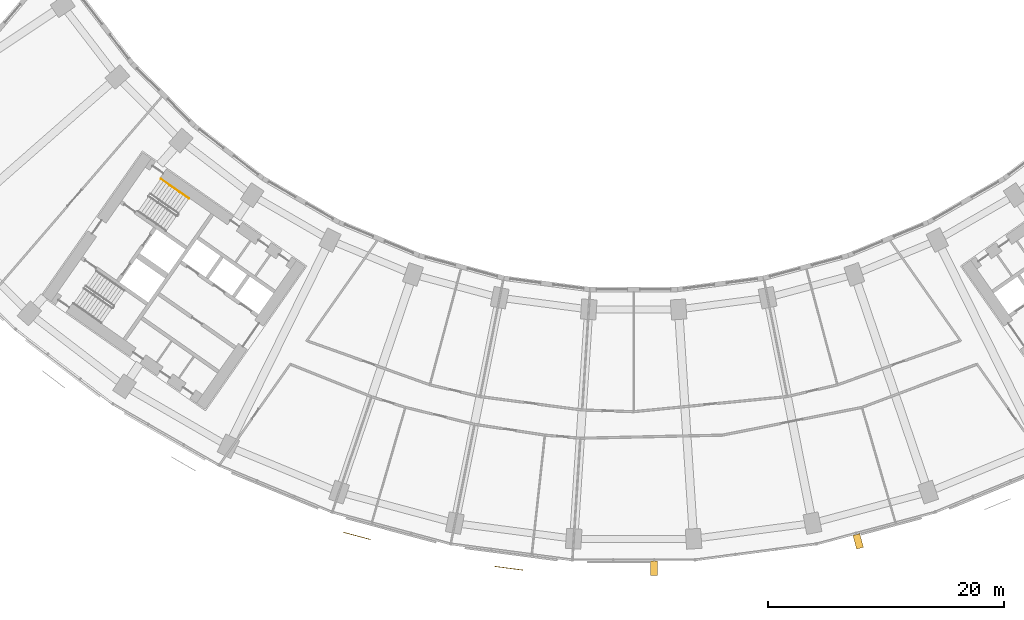
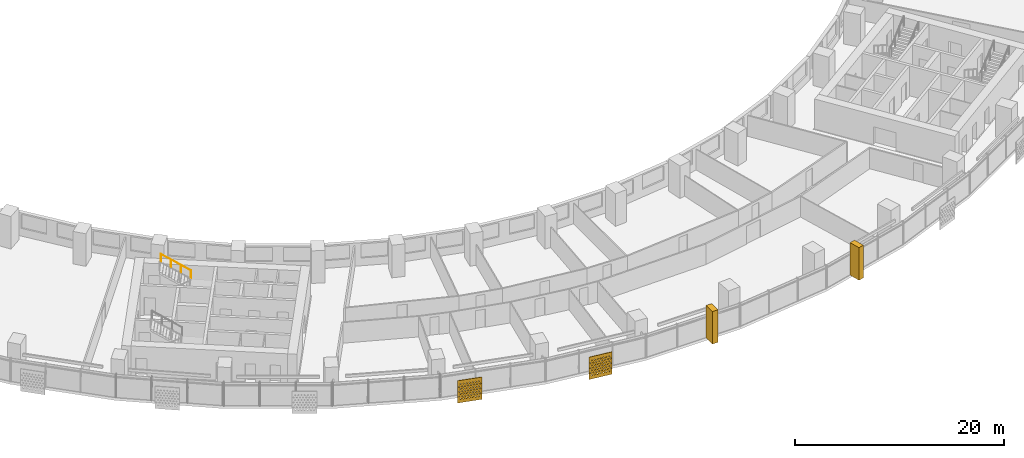
# One storey, part 26 of 29: 4 shading devices, 1 railing.
"""IFC4 building model written with IfcOpenShell, lengths in metres."""

from ifc_helpers import new_model, si_unit, direction, frame, origin, origin_2d, place, context, subcontext, project, spatial, polyline, circle, outline, extrude, material, material_profile, profile_set, type_object, element, save


model = new_model("IFC4")

# Units and contexts
model_context = context("Model", 3, precision=1e-05, world=origin(), true_north=direction((0.0, 1.0)))
body_context = subcontext(model_context, "Body", "Model", "MODEL_VIEW")
ifc_project = project(units=[si_unit("LENGTHUNIT", "METRE"), si_unit("AREAUNIT", "SQUARE_METRE"), si_unit("VOLUMEUNIT", "CUBIC_METRE"), si_unit("PLANEANGLEUNIT", "RADIAN"), si_unit("MASSUNIT", "GRAM", prefix="KILO")], contexts=[model_context])

# Site, building, storey
site_placement = place(None, origin())
site = spatial("IfcSite", under=ifc_project, at=site_placement, CompositionType="ELEMENT")
building_placement = place(site_placement, origin())
building = spatial("IfcBuilding", under=site, at=building_placement, Name="Qamariyya Broadcast Tower", CompositionType="ELEMENT")
storey_placement = place(building_placement, frame((0.0, 0.0, 44.300048828125)))
storey = spatial("IfcBuildingStorey", under=building, at=storey_placement, Name="L07", CompositionType="ELEMENT", Elevation=44.300048828125)

# Shading devices
ifc_material_1 = material(Name="Steel S355 powder coated deep red", Category="steel")
shading_device_type_1 = type_object("IfcShadingDeviceType", Name="Deep red frame, powder coated steel box section", PredefinedType="USERDEFINED", material=ifc_material_1)
shading_device_1_placement = place(storey_placement, origin())
element("IfcShadingDevice", 1, at=shading_device_1_placement, inside=storey, type_object=shading_device_type_1, Name="e-frm-B1-F4-posta-L07", ObjectType="FRAME", PredefinedType="USERDEFINED", context=body_context, shape_type="SweptSolid", body=[
    extrude(outline(polyline([(1.4365234375, -79.4794921875), (1.4365234375, -80.679443359375), (2.036376953125, -80.679443359375), (2.036376953125, -79.4794921875), (1.4365234375, -79.4794921875)])), origin(), (0.0, 0.0, 1.0), 3.800048828125),
])
shading_device_2_placement = place(storey_placement, origin())
element("IfcShadingDevice", 2, at=shading_device_2_placement, inside=storey, type_object=shading_device_type_1, Name="e-frm-B1-F4-postb-L07", ObjectType="FRAME", PredefinedType="USERDEFINED", context=body_context, shape_type="SweptSolid", body=[
    extrude(outline(polyline([(18.603759765625, -77.29833984375), (18.914306640625, -78.45751953125), (19.493896484375, -78.30224609375), (19.183349609375, -77.14306640625), (18.603759765625, -77.29833984375)])), origin(), (0.0, 0.0, 1.0), 3.800048828125),
])
ifc_material_2 = material(Name="Perforated glazed terracotta", Category="masonry")
ifc_material_profile = material_profile(ifc_material_2, outline(polyline([(-1.199951171875, -1.300048828125), (1.199951171875, -1.300048828125), (1.199951171875, 1.300048828125), (-1.199951171875, 1.300048828125), (-1.199951171875, -1.300048828125)]), holes=[polyline([(-0.81494140625, -0.86669921875), (-0.89990234375, -0.78173828125), (-0.985107421875, -0.86669921875), (-0.89990234375, -0.95166015625), (-0.81494140625, -0.86669921875)]), polyline([(-0.514892578125, -0.86669921875), (-0.60009765625, -0.78173828125), (-0.68505859375, -0.86669921875), (-0.60009765625, -0.95166015625), (-0.514892578125, -0.86669921875)]), polyline([(-0.215087890625, -0.86669921875), (-0.300048828125, -0.78173828125), (-0.385009765625, -0.86669921875), (-0.300048828125, -0.95166015625), (-0.215087890625, -0.86669921875)]), polyline([(0.0849609375, -0.86669921875), (0.0, -0.78173828125), (-0.0849609375, -0.86669921875), (0.0, -0.95166015625), (0.0849609375, -0.86669921875)]), polyline([(0.385009765625, -0.86669921875), (0.300048828125, -0.78173828125), (0.215087890625, -0.86669921875), (0.300048828125, -0.95166015625), (0.385009765625, -0.86669921875)]), polyline([(0.68505859375, -0.86669921875), (0.60009765625, -0.78173828125), (0.514892578125, -0.86669921875), (0.60009765625, -0.95166015625), (0.68505859375, -0.86669921875)]), polyline([(0.985107421875, -0.86669921875), (0.89990234375, -0.78173828125), (0.81494140625, -0.86669921875), (0.89990234375, -0.95166015625), (0.985107421875, -0.86669921875)]), polyline([(-0.965087890625, -0.577880859375), (-1.050048828125, -0.49267578125), (-1.135009765625, -0.577880859375), (-1.050048828125, -0.662841796875), (-0.965087890625, -0.577880859375)]), polyline([(-0.6650390625, -0.577880859375), (-0.75, -0.49267578125), (-0.8349609375, -0.577880859375), (-0.75, -0.662841796875), (-0.6650390625, -0.577880859375)]), polyline([(-0.364990234375, -0.577880859375), (-0.449951171875, -0.49267578125), (-0.534912109375, -0.577880859375), (-0.449951171875, -0.662841796875), (-0.364990234375, -0.577880859375)]), polyline([(-0.06494140625, -0.577880859375), (-0.14990234375, -0.49267578125), (-0.235107421875, -0.577880859375), (-0.14990234375, -0.662841796875), (-0.06494140625, -0.577880859375)]), polyline([(0.235107421875, -0.577880859375), (0.14990234375, -0.49267578125), (0.06494140625, -0.577880859375), (0.14990234375, -0.662841796875), (0.235107421875, -0.577880859375)]), polyline([(0.534912109375, -0.577880859375), (0.449951171875, -0.49267578125), (0.364990234375, -0.577880859375), (0.449951171875, -0.662841796875), (0.534912109375, -0.577880859375)]), polyline([(0.8349609375, -0.577880859375), (0.75, -0.49267578125), (0.6650390625, -0.577880859375), (0.75, -0.662841796875), (0.8349609375, -0.577880859375)]), polyline([(1.135009765625, -0.577880859375), (1.050048828125, -0.49267578125), (0.965087890625, -0.577880859375), (1.050048828125, -0.662841796875), (1.135009765625, -0.577880859375)]), polyline([(-0.81494140625, -0.288818359375), (-0.89990234375, -0.203857421875), (-0.985107421875, -0.288818359375), (-0.89990234375, -0.373779296875), (-0.81494140625, -0.288818359375)]), polyline([(-0.514892578125, -0.288818359375), (-0.60009765625, -0.203857421875), (-0.68505859375, -0.288818359375), (-0.60009765625, -0.373779296875), (-0.514892578125, -0.288818359375)]), polyline([(-0.215087890625, -0.288818359375), (-0.300048828125, -0.203857421875), (-0.385009765625, -0.288818359375), (-0.300048828125, -0.373779296875), (-0.215087890625, -0.288818359375)]), polyline([(0.0849609375, -0.288818359375), (0.0, -0.203857421875), (-0.0849609375, -0.288818359375), (0.0, -0.373779296875), (0.0849609375, -0.288818359375)]), polyline([(0.385009765625, -0.288818359375), (0.300048828125, -0.203857421875), (0.215087890625, -0.288818359375), (0.300048828125, -0.373779296875), (0.385009765625, -0.288818359375)]), polyline([(0.68505859375, -0.288818359375), (0.60009765625, -0.203857421875), (0.514892578125, -0.288818359375), (0.60009765625, -0.373779296875), (0.68505859375, -0.288818359375)]), polyline([(0.985107421875, -0.288818359375), (0.89990234375, -0.203857421875), (0.81494140625, -0.288818359375), (0.89990234375, -0.373779296875), (0.985107421875, -0.288818359375)]), polyline([(-0.965087890625, 0.0), (-1.050048828125, 0.0849609375), (-1.135009765625, 0.0), (-1.050048828125, -0.0849609375), (-0.965087890625, 0.0)]), polyline([(-0.6650390625, 0.0), (-0.75, 0.0849609375), (-0.8349609375, 0.0), (-0.75, -0.0849609375), (-0.6650390625, 0.0)]), polyline([(-0.364990234375, 0.0), (-0.449951171875, 0.0849609375), (-0.534912109375, 0.0), (-0.449951171875, -0.0849609375), (-0.364990234375, 0.0)]), polyline([(-0.06494140625, 0.0), (-0.14990234375, 0.0849609375), (-0.235107421875, 0.0), (-0.14990234375, -0.0849609375), (-0.06494140625, 0.0)]), polyline([(0.235107421875, 0.0), (0.14990234375, 0.0849609375), (0.06494140625, 0.0), (0.14990234375, -0.0849609375), (0.235107421875, 0.0)]), polyline([(0.534912109375, 0.0), (0.449951171875, 0.0849609375), (0.364990234375, 0.0), (0.449951171875, -0.0849609375), (0.534912109375, 0.0)]), polyline([(0.8349609375, 0.0), (0.75, 0.0849609375), (0.6650390625, 0.0), (0.75, -0.0849609375), (0.8349609375, 0.0)]), polyline([(1.135009765625, 0.0), (1.050048828125, 0.0849609375), (0.965087890625, 0.0), (1.050048828125, -0.0849609375), (1.135009765625, 0.0)]), polyline([(-0.81494140625, 0.288818359375), (-0.89990234375, 0.373779296875), (-0.985107421875, 0.288818359375), (-0.89990234375, 0.203857421875), (-0.81494140625, 0.288818359375)]), polyline([(-0.514892578125, 0.288818359375), (-0.60009765625, 0.373779296875), (-0.68505859375, 0.288818359375), (-0.60009765625, 0.203857421875), (-0.514892578125, 0.288818359375)]), polyline([(-0.215087890625, 0.288818359375), (-0.300048828125, 0.373779296875), (-0.385009765625, 0.288818359375), (-0.300048828125, 0.203857421875), (-0.215087890625, 0.288818359375)]), polyline([(0.0849609375, 0.288818359375), (0.0, 0.373779296875), (-0.0849609375, 0.288818359375), (0.0, 0.203857421875), (0.0849609375, 0.288818359375)]), polyline([(0.385009765625, 0.288818359375), (0.300048828125, 0.373779296875), (0.215087890625, 0.288818359375), (0.300048828125, 0.203857421875), (0.385009765625, 0.288818359375)]), polyline([(0.68505859375, 0.288818359375), (0.60009765625, 0.373779296875), (0.514892578125, 0.288818359375), (0.60009765625, 0.203857421875), (0.68505859375, 0.288818359375)]), polyline([(0.985107421875, 0.288818359375), (0.89990234375, 0.373779296875), (0.81494140625, 0.288818359375), (0.89990234375, 0.203857421875), (0.985107421875, 0.288818359375)]), polyline([(-0.965087890625, 0.577880859375), (-1.050048828125, 0.662841796875), (-1.135009765625, 0.577880859375), (-1.050048828125, 0.49267578125), (-0.965087890625, 0.577880859375)]), polyline([(-0.6650390625, 0.577880859375), (-0.75, 0.662841796875), (-0.8349609375, 0.577880859375), (-0.75, 0.49267578125), (-0.6650390625, 0.577880859375)]), polyline([(-0.364990234375, 0.577880859375), (-0.449951171875, 0.662841796875), (-0.534912109375, 0.577880859375), (-0.449951171875, 0.49267578125), (-0.364990234375, 0.577880859375)]), polyline([(-0.06494140625, 0.577880859375), (-0.14990234375, 0.662841796875), (-0.235107421875, 0.577880859375), (-0.14990234375, 0.49267578125), (-0.06494140625, 0.577880859375)]), polyline([(0.235107421875, 0.577880859375), (0.14990234375, 0.662841796875), (0.06494140625, 0.577880859375), (0.14990234375, 0.49267578125), (0.235107421875, 0.577880859375)]), polyline([(0.534912109375, 0.577880859375), (0.449951171875, 0.662841796875), (0.364990234375, 0.577880859375), (0.449951171875, 0.49267578125), (0.534912109375, 0.577880859375)]), polyline([(0.8349609375, 0.577880859375), (0.75, 0.662841796875), (0.6650390625, 0.577880859375), (0.75, 0.49267578125), (0.8349609375, 0.577880859375)]), polyline([(1.135009765625, 0.577880859375), (1.050048828125, 0.662841796875), (0.965087890625, 0.577880859375), (1.050048828125, 0.49267578125), (1.135009765625, 0.577880859375)]), polyline([(-0.81494140625, 0.86669921875), (-0.89990234375, 0.95166015625), (-0.985107421875, 0.86669921875), (-0.89990234375, 0.78173828125), (-0.81494140625, 0.86669921875)]), polyline([(-0.514892578125, 0.86669921875), (-0.60009765625, 0.95166015625), (-0.68505859375, 0.86669921875), (-0.60009765625, 0.78173828125), (-0.514892578125, 0.86669921875)]), polyline([(-0.215087890625, 0.86669921875), (-0.300048828125, 0.95166015625), (-0.385009765625, 0.86669921875), (-0.300048828125, 0.78173828125), (-0.215087890625, 0.86669921875)]), polyline([(0.0849609375, 0.86669921875), (0.0, 0.95166015625), (-0.0849609375, 0.86669921875), (0.0, 0.78173828125), (0.0849609375, 0.86669921875)]), polyline([(0.385009765625, 0.86669921875), (0.300048828125, 0.95166015625), (0.215087890625, 0.86669921875), (0.300048828125, 0.78173828125), (0.385009765625, 0.86669921875)]), polyline([(0.68505859375, 0.86669921875), (0.60009765625, 0.95166015625), (0.514892578125, 0.86669921875), (0.60009765625, 0.78173828125), (0.68505859375, 0.86669921875)]), polyline([(0.985107421875, 0.86669921875), (0.89990234375, 0.95166015625), (0.81494140625, 0.86669921875), (0.89990234375, 0.78173828125), (0.985107421875, 0.86669921875)])]))
ifc_profile_set = profile_set([ifc_material_profile], Name="Perforated glazed terracotta")
shading_device_type_2 = type_object("IfcShadingDeviceType", Name="Perforated terracotta screen 2400 x 2600", PredefinedType="USERDEFINED", material=ifc_profile_set)
shading_device_3_placement = place(storey_placement, frame((-23.466064453125, -77.310302734375, 1.349853515625), z_axis=(-0.256901156343, -0.966437683387, 0.0), x_axis=(0.966437683387, -0.256901156343, 0.0)))
element("IfcShadingDevice", 3, at=shading_device_3_placement, inside=storey, type_object=shading_device_type_2, Name="e-scr-L07-06-0", ObjectType="SCREEN", PredefinedType="USERDEFINED", context=body_context, shape_type="SweptSolid", body=[
    extrude(outline(polyline([(-1.199951171875, -1.300048828125), (1.199951171875, -1.300048828125), (1.199951171875, 1.300048828125), (-1.199951171875, 1.300048828125), (-1.199951171875, -1.300048828125)]), holes=[polyline([(-0.81494140625, -0.86669921875), (-0.89990234375, -0.78173828125), (-0.985107421875, -0.86669921875), (-0.89990234375, -0.95166015625), (-0.81494140625, -0.86669921875)]), polyline([(-0.514892578125, -0.86669921875), (-0.60009765625, -0.78173828125), (-0.68505859375, -0.86669921875), (-0.60009765625, -0.95166015625), (-0.514892578125, -0.86669921875)]), polyline([(-0.215087890625, -0.86669921875), (-0.300048828125, -0.78173828125), (-0.385009765625, -0.86669921875), (-0.300048828125, -0.95166015625), (-0.215087890625, -0.86669921875)]), polyline([(0.0849609375, -0.86669921875), (0.0, -0.78173828125), (-0.0849609375, -0.86669921875), (0.0, -0.95166015625), (0.0849609375, -0.86669921875)]), polyline([(0.385009765625, -0.86669921875), (0.300048828125, -0.78173828125), (0.215087890625, -0.86669921875), (0.300048828125, -0.95166015625), (0.385009765625, -0.86669921875)]), polyline([(0.68505859375, -0.86669921875), (0.60009765625, -0.78173828125), (0.514892578125, -0.86669921875), (0.60009765625, -0.95166015625), (0.68505859375, -0.86669921875)]), polyline([(0.985107421875, -0.86669921875), (0.89990234375, -0.78173828125), (0.81494140625, -0.86669921875), (0.89990234375, -0.95166015625), (0.985107421875, -0.86669921875)]), polyline([(-0.965087890625, -0.577880859375), (-1.050048828125, -0.49267578125), (-1.135009765625, -0.577880859375), (-1.050048828125, -0.662841796875), (-0.965087890625, -0.577880859375)]), polyline([(-0.6650390625, -0.577880859375), (-0.75, -0.49267578125), (-0.8349609375, -0.577880859375), (-0.75, -0.662841796875), (-0.6650390625, -0.577880859375)]), polyline([(-0.364990234375, -0.577880859375), (-0.449951171875, -0.49267578125), (-0.534912109375, -0.577880859375), (-0.449951171875, -0.662841796875), (-0.364990234375, -0.577880859375)]), polyline([(-0.06494140625, -0.577880859375), (-0.14990234375, -0.49267578125), (-0.235107421875, -0.577880859375), (-0.14990234375, -0.662841796875), (-0.06494140625, -0.577880859375)]), polyline([(0.235107421875, -0.577880859375), (0.14990234375, -0.49267578125), (0.06494140625, -0.577880859375), (0.14990234375, -0.662841796875), (0.235107421875, -0.577880859375)]), polyline([(0.534912109375, -0.577880859375), (0.449951171875, -0.49267578125), (0.364990234375, -0.577880859375), (0.449951171875, -0.662841796875), (0.534912109375, -0.577880859375)]), polyline([(0.8349609375, -0.577880859375), (0.75, -0.49267578125), (0.6650390625, -0.577880859375), (0.75, -0.662841796875), (0.8349609375, -0.577880859375)]), polyline([(1.135009765625, -0.577880859375), (1.050048828125, -0.49267578125), (0.965087890625, -0.577880859375), (1.050048828125, -0.662841796875), (1.135009765625, -0.577880859375)]), polyline([(-0.81494140625, -0.288818359375), (-0.89990234375, -0.203857421875), (-0.985107421875, -0.288818359375), (-0.89990234375, -0.373779296875), (-0.81494140625, -0.288818359375)]), polyline([(-0.514892578125, -0.288818359375), (-0.60009765625, -0.203857421875), (-0.68505859375, -0.288818359375), (-0.60009765625, -0.373779296875), (-0.514892578125, -0.288818359375)]), polyline([(-0.215087890625, -0.288818359375), (-0.300048828125, -0.203857421875), (-0.385009765625, -0.288818359375), (-0.300048828125, -0.373779296875), (-0.215087890625, -0.288818359375)]), polyline([(0.0849609375, -0.288818359375), (0.0, -0.203857421875), (-0.0849609375, -0.288818359375), (0.0, -0.373779296875), (0.0849609375, -0.288818359375)]), polyline([(0.385009765625, -0.288818359375), (0.300048828125, -0.203857421875), (0.215087890625, -0.288818359375), (0.300048828125, -0.373779296875), (0.385009765625, -0.288818359375)]), polyline([(0.68505859375, -0.288818359375), (0.60009765625, -0.203857421875), (0.514892578125, -0.288818359375), (0.60009765625, -0.373779296875), (0.68505859375, -0.288818359375)]), polyline([(0.985107421875, -0.288818359375), (0.89990234375, -0.203857421875), (0.81494140625, -0.288818359375), (0.89990234375, -0.373779296875), (0.985107421875, -0.288818359375)]), polyline([(-0.965087890625, 0.0), (-1.050048828125, 0.0849609375), (-1.135009765625, 0.0), (-1.050048828125, -0.0849609375), (-0.965087890625, 0.0)]), polyline([(-0.6650390625, 0.0), (-0.75, 0.0849609375), (-0.8349609375, 0.0), (-0.75, -0.0849609375), (-0.6650390625, 0.0)]), polyline([(-0.364990234375, 0.0), (-0.449951171875, 0.0849609375), (-0.534912109375, 0.0), (-0.449951171875, -0.0849609375), (-0.364990234375, 0.0)]), polyline([(-0.06494140625, 0.0), (-0.14990234375, 0.0849609375), (-0.235107421875, 0.0), (-0.14990234375, -0.0849609375), (-0.06494140625, 0.0)]), polyline([(0.235107421875, 0.0), (0.14990234375, 0.0849609375), (0.06494140625, 0.0), (0.14990234375, -0.0849609375), (0.235107421875, 0.0)]), polyline([(0.534912109375, 0.0), (0.449951171875, 0.0849609375), (0.364990234375, 0.0), (0.449951171875, -0.0849609375), (0.534912109375, 0.0)]), polyline([(0.8349609375, 0.0), (0.75, 0.0849609375), (0.6650390625, 0.0), (0.75, -0.0849609375), (0.8349609375, 0.0)]), polyline([(1.135009765625, 0.0), (1.050048828125, 0.0849609375), (0.965087890625, 0.0), (1.050048828125, -0.0849609375), (1.135009765625, 0.0)]), polyline([(-0.81494140625, 0.288818359375), (-0.89990234375, 0.373779296875), (-0.985107421875, 0.288818359375), (-0.89990234375, 0.203857421875), (-0.81494140625, 0.288818359375)]), polyline([(-0.514892578125, 0.288818359375), (-0.60009765625, 0.373779296875), (-0.68505859375, 0.288818359375), (-0.60009765625, 0.203857421875), (-0.514892578125, 0.288818359375)]), polyline([(-0.215087890625, 0.288818359375), (-0.300048828125, 0.373779296875), (-0.385009765625, 0.288818359375), (-0.300048828125, 0.203857421875), (-0.215087890625, 0.288818359375)]), polyline([(0.0849609375, 0.288818359375), (0.0, 0.373779296875), (-0.0849609375, 0.288818359375), (0.0, 0.203857421875), (0.0849609375, 0.288818359375)]), polyline([(0.385009765625, 0.288818359375), (0.300048828125, 0.373779296875), (0.215087890625, 0.288818359375), (0.300048828125, 0.203857421875), (0.385009765625, 0.288818359375)]), polyline([(0.68505859375, 0.288818359375), (0.60009765625, 0.373779296875), (0.514892578125, 0.288818359375), (0.60009765625, 0.203857421875), (0.68505859375, 0.288818359375)]), polyline([(0.985107421875, 0.288818359375), (0.89990234375, 0.373779296875), (0.81494140625, 0.288818359375), (0.89990234375, 0.203857421875), (0.985107421875, 0.288818359375)]), polyline([(-0.965087890625, 0.577880859375), (-1.050048828125, 0.662841796875), (-1.135009765625, 0.577880859375), (-1.050048828125, 0.49267578125), (-0.965087890625, 0.577880859375)]), polyline([(-0.6650390625, 0.577880859375), (-0.75, 0.662841796875), (-0.8349609375, 0.577880859375), (-0.75, 0.49267578125), (-0.6650390625, 0.577880859375)]), polyline([(-0.364990234375, 0.577880859375), (-0.449951171875, 0.662841796875), (-0.534912109375, 0.577880859375), (-0.449951171875, 0.49267578125), (-0.364990234375, 0.577880859375)]), polyline([(-0.06494140625, 0.577880859375), (-0.14990234375, 0.662841796875), (-0.235107421875, 0.577880859375), (-0.14990234375, 0.49267578125), (-0.06494140625, 0.577880859375)]), polyline([(0.235107421875, 0.577880859375), (0.14990234375, 0.662841796875), (0.06494140625, 0.577880859375), (0.14990234375, 0.49267578125), (0.235107421875, 0.577880859375)]), polyline([(0.534912109375, 0.577880859375), (0.449951171875, 0.662841796875), (0.364990234375, 0.577880859375), (0.449951171875, 0.49267578125), (0.534912109375, 0.577880859375)]), polyline([(0.8349609375, 0.577880859375), (0.75, 0.662841796875), (0.6650390625, 0.577880859375), (0.75, 0.49267578125), (0.8349609375, 0.577880859375)]), polyline([(1.135009765625, 0.577880859375), (1.050048828125, 0.662841796875), (0.965087890625, 0.577880859375), (1.050048828125, 0.49267578125), (1.135009765625, 0.577880859375)]), polyline([(-0.81494140625, 0.86669921875), (-0.89990234375, 0.95166015625), (-0.985107421875, 0.86669921875), (-0.89990234375, 0.78173828125), (-0.81494140625, 0.86669921875)]), polyline([(-0.514892578125, 0.86669921875), (-0.60009765625, 0.95166015625), (-0.68505859375, 0.86669921875), (-0.60009765625, 0.78173828125), (-0.514892578125, 0.86669921875)]), polyline([(-0.215087890625, 0.86669921875), (-0.300048828125, 0.95166015625), (-0.385009765625, 0.86669921875), (-0.300048828125, 0.78173828125), (-0.215087890625, 0.86669921875)]), polyline([(0.0849609375, 0.86669921875), (0.0, 0.95166015625), (-0.0849609375, 0.86669921875), (0.0, 0.78173828125), (0.0849609375, 0.86669921875)]), polyline([(0.385009765625, 0.86669921875), (0.300048828125, 0.95166015625), (0.215087890625, 0.86669921875), (0.300048828125, 0.78173828125), (0.385009765625, 0.86669921875)]), polyline([(0.68505859375, 0.86669921875), (0.60009765625, 0.95166015625), (0.514892578125, 0.86669921875), (0.60009765625, 0.78173828125), (0.68505859375, 0.86669921875)]), polyline([(0.985107421875, 0.86669921875), (0.89990234375, 0.95166015625), (0.81494140625, 0.86669921875), (0.89990234375, 0.78173828125), (0.985107421875, 0.86669921875)])]), origin(), (0.0, 0.0, 1.0), 0.059814453125),
])
shading_device_4_placement = place(storey_placement, frame((-10.591796875, -80.0517578125, 1.349853515625), z_axis=(-0.1300340368, -0.991509530601, 0.0), x_axis=(0.991509530601, -0.1300340368, 0.0)))
element("IfcShadingDevice", 4, at=shading_device_4_placement, inside=storey, type_object=shading_device_type_2, Name="e-scr-L07-07-1", ObjectType="SCREEN", PredefinedType="USERDEFINED", context=body_context, shape_type="SweptSolid", body=[
    extrude(outline(polyline([(-1.199951171875, -1.300048828125), (1.199951171875, -1.300048828125), (1.199951171875, 1.300048828125), (-1.199951171875, 1.300048828125), (-1.199951171875, -1.300048828125)]), holes=[polyline([(-0.81494140625, -0.86669921875), (-0.89990234375, -0.78173828125), (-0.985107421875, -0.86669921875), (-0.89990234375, -0.95166015625), (-0.81494140625, -0.86669921875)]), polyline([(-0.514892578125, -0.86669921875), (-0.60009765625, -0.78173828125), (-0.68505859375, -0.86669921875), (-0.60009765625, -0.95166015625), (-0.514892578125, -0.86669921875)]), polyline([(-0.215087890625, -0.86669921875), (-0.300048828125, -0.78173828125), (-0.385009765625, -0.86669921875), (-0.300048828125, -0.95166015625), (-0.215087890625, -0.86669921875)]), polyline([(0.0849609375, -0.86669921875), (0.0, -0.78173828125), (-0.0849609375, -0.86669921875), (0.0, -0.95166015625), (0.0849609375, -0.86669921875)]), polyline([(0.385009765625, -0.86669921875), (0.300048828125, -0.78173828125), (0.215087890625, -0.86669921875), (0.300048828125, -0.95166015625), (0.385009765625, -0.86669921875)]), polyline([(0.68505859375, -0.86669921875), (0.60009765625, -0.78173828125), (0.514892578125, -0.86669921875), (0.60009765625, -0.95166015625), (0.68505859375, -0.86669921875)]), polyline([(0.985107421875, -0.86669921875), (0.89990234375, -0.78173828125), (0.81494140625, -0.86669921875), (0.89990234375, -0.95166015625), (0.985107421875, -0.86669921875)]), polyline([(-0.965087890625, -0.577880859375), (-1.050048828125, -0.49267578125), (-1.135009765625, -0.577880859375), (-1.050048828125, -0.662841796875), (-0.965087890625, -0.577880859375)]), polyline([(-0.6650390625, -0.577880859375), (-0.75, -0.49267578125), (-0.8349609375, -0.577880859375), (-0.75, -0.662841796875), (-0.6650390625, -0.577880859375)]), polyline([(-0.364990234375, -0.577880859375), (-0.449951171875, -0.49267578125), (-0.534912109375, -0.577880859375), (-0.449951171875, -0.662841796875), (-0.364990234375, -0.577880859375)]), polyline([(-0.06494140625, -0.577880859375), (-0.14990234375, -0.49267578125), (-0.235107421875, -0.577880859375), (-0.14990234375, -0.662841796875), (-0.06494140625, -0.577880859375)]), polyline([(0.235107421875, -0.577880859375), (0.14990234375, -0.49267578125), (0.06494140625, -0.577880859375), (0.14990234375, -0.662841796875), (0.235107421875, -0.577880859375)]), polyline([(0.534912109375, -0.577880859375), (0.449951171875, -0.49267578125), (0.364990234375, -0.577880859375), (0.449951171875, -0.662841796875), (0.534912109375, -0.577880859375)]), polyline([(0.8349609375, -0.577880859375), (0.75, -0.49267578125), (0.6650390625, -0.577880859375), (0.75, -0.662841796875), (0.8349609375, -0.577880859375)]), polyline([(1.135009765625, -0.577880859375), (1.050048828125, -0.49267578125), (0.965087890625, -0.577880859375), (1.050048828125, -0.662841796875), (1.135009765625, -0.577880859375)]), polyline([(-0.81494140625, -0.288818359375), (-0.89990234375, -0.203857421875), (-0.985107421875, -0.288818359375), (-0.89990234375, -0.373779296875), (-0.81494140625, -0.288818359375)]), polyline([(-0.514892578125, -0.288818359375), (-0.60009765625, -0.203857421875), (-0.68505859375, -0.288818359375), (-0.60009765625, -0.373779296875), (-0.514892578125, -0.288818359375)]), polyline([(-0.215087890625, -0.288818359375), (-0.300048828125, -0.203857421875), (-0.385009765625, -0.288818359375), (-0.300048828125, -0.373779296875), (-0.215087890625, -0.288818359375)]), polyline([(0.0849609375, -0.288818359375), (0.0, -0.203857421875), (-0.0849609375, -0.288818359375), (0.0, -0.373779296875), (0.0849609375, -0.288818359375)]), polyline([(0.385009765625, -0.288818359375), (0.300048828125, -0.203857421875), (0.215087890625, -0.288818359375), (0.300048828125, -0.373779296875), (0.385009765625, -0.288818359375)]), polyline([(0.68505859375, -0.288818359375), (0.60009765625, -0.203857421875), (0.514892578125, -0.288818359375), (0.60009765625, -0.373779296875), (0.68505859375, -0.288818359375)]), polyline([(0.985107421875, -0.288818359375), (0.89990234375, -0.203857421875), (0.81494140625, -0.288818359375), (0.89990234375, -0.373779296875), (0.985107421875, -0.288818359375)]), polyline([(-0.965087890625, 0.0), (-1.050048828125, 0.0849609375), (-1.135009765625, 0.0), (-1.050048828125, -0.0849609375), (-0.965087890625, 0.0)]), polyline([(-0.6650390625, 0.0), (-0.75, 0.0849609375), (-0.8349609375, 0.0), (-0.75, -0.0849609375), (-0.6650390625, 0.0)]), polyline([(-0.364990234375, 0.0), (-0.449951171875, 0.0849609375), (-0.534912109375, 0.0), (-0.449951171875, -0.0849609375), (-0.364990234375, 0.0)]), polyline([(-0.06494140625, 0.0), (-0.14990234375, 0.0849609375), (-0.235107421875, 0.0), (-0.14990234375, -0.0849609375), (-0.06494140625, 0.0)]), polyline([(0.235107421875, 0.0), (0.14990234375, 0.0849609375), (0.06494140625, 0.0), (0.14990234375, -0.0849609375), (0.235107421875, 0.0)]), polyline([(0.534912109375, 0.0), (0.449951171875, 0.0849609375), (0.364990234375, 0.0), (0.449951171875, -0.0849609375), (0.534912109375, 0.0)]), polyline([(0.8349609375, 0.0), (0.75, 0.0849609375), (0.6650390625, 0.0), (0.75, -0.0849609375), (0.8349609375, 0.0)]), polyline([(1.135009765625, 0.0), (1.050048828125, 0.0849609375), (0.965087890625, 0.0), (1.050048828125, -0.0849609375), (1.135009765625, 0.0)]), polyline([(-0.81494140625, 0.288818359375), (-0.89990234375, 0.373779296875), (-0.985107421875, 0.288818359375), (-0.89990234375, 0.203857421875), (-0.81494140625, 0.288818359375)]), polyline([(-0.514892578125, 0.288818359375), (-0.60009765625, 0.373779296875), (-0.68505859375, 0.288818359375), (-0.60009765625, 0.203857421875), (-0.514892578125, 0.288818359375)]), polyline([(-0.215087890625, 0.288818359375), (-0.300048828125, 0.373779296875), (-0.385009765625, 0.288818359375), (-0.300048828125, 0.203857421875), (-0.215087890625, 0.288818359375)]), polyline([(0.0849609375, 0.288818359375), (0.0, 0.373779296875), (-0.0849609375, 0.288818359375), (0.0, 0.203857421875), (0.0849609375, 0.288818359375)]), polyline([(0.385009765625, 0.288818359375), (0.300048828125, 0.373779296875), (0.215087890625, 0.288818359375), (0.300048828125, 0.203857421875), (0.385009765625, 0.288818359375)]), polyline([(0.68505859375, 0.288818359375), (0.60009765625, 0.373779296875), (0.514892578125, 0.288818359375), (0.60009765625, 0.203857421875), (0.68505859375, 0.288818359375)]), polyline([(0.985107421875, 0.288818359375), (0.89990234375, 0.373779296875), (0.81494140625, 0.288818359375), (0.89990234375, 0.203857421875), (0.985107421875, 0.288818359375)]), polyline([(-0.965087890625, 0.577880859375), (-1.050048828125, 0.662841796875), (-1.135009765625, 0.577880859375), (-1.050048828125, 0.49267578125), (-0.965087890625, 0.577880859375)]), polyline([(-0.6650390625, 0.577880859375), (-0.75, 0.662841796875), (-0.8349609375, 0.577880859375), (-0.75, 0.49267578125), (-0.6650390625, 0.577880859375)]), polyline([(-0.364990234375, 0.577880859375), (-0.449951171875, 0.662841796875), (-0.534912109375, 0.577880859375), (-0.449951171875, 0.49267578125), (-0.364990234375, 0.577880859375)]), polyline([(-0.06494140625, 0.577880859375), (-0.14990234375, 0.662841796875), (-0.235107421875, 0.577880859375), (-0.14990234375, 0.49267578125), (-0.06494140625, 0.577880859375)]), polyline([(0.235107421875, 0.577880859375), (0.14990234375, 0.662841796875), (0.06494140625, 0.577880859375), (0.14990234375, 0.49267578125), (0.235107421875, 0.577880859375)]), polyline([(0.534912109375, 0.577880859375), (0.449951171875, 0.662841796875), (0.364990234375, 0.577880859375), (0.449951171875, 0.49267578125), (0.534912109375, 0.577880859375)]), polyline([(0.8349609375, 0.577880859375), (0.75, 0.662841796875), (0.6650390625, 0.577880859375), (0.75, 0.49267578125), (0.8349609375, 0.577880859375)]), polyline([(1.135009765625, 0.577880859375), (1.050048828125, 0.662841796875), (0.965087890625, 0.577880859375), (1.050048828125, 0.49267578125), (1.135009765625, 0.577880859375)]), polyline([(-0.81494140625, 0.86669921875), (-0.89990234375, 0.95166015625), (-0.985107421875, 0.86669921875), (-0.89990234375, 0.78173828125), (-0.81494140625, 0.86669921875)]), polyline([(-0.514892578125, 0.86669921875), (-0.60009765625, 0.95166015625), (-0.68505859375, 0.86669921875), (-0.60009765625, 0.78173828125), (-0.514892578125, 0.86669921875)]), polyline([(-0.215087890625, 0.86669921875), (-0.300048828125, 0.95166015625), (-0.385009765625, 0.86669921875), (-0.300048828125, 0.78173828125), (-0.215087890625, 0.86669921875)]), polyline([(0.0849609375, 0.86669921875), (0.0, 0.95166015625), (-0.0849609375, 0.86669921875), (0.0, 0.78173828125), (0.0849609375, 0.86669921875)]), polyline([(0.385009765625, 0.86669921875), (0.300048828125, 0.95166015625), (0.215087890625, 0.86669921875), (0.300048828125, 0.78173828125), (0.385009765625, 0.86669921875)]), polyline([(0.68505859375, 0.86669921875), (0.60009765625, 0.95166015625), (0.514892578125, 0.86669921875), (0.60009765625, 0.78173828125), (0.68505859375, 0.86669921875)]), polyline([(0.985107421875, 0.86669921875), (0.89990234375, 0.95166015625), (0.81494140625, 0.86669921875), (0.89990234375, 0.78173828125), (0.985107421875, 0.86669921875)])]), origin(), (0.0, 0.0, 1.0), 0.06005859375),
])

# Railing
ifc_material_3 = material(Name="Stainless steel", Category="steel")
railing_type = type_object("IfcRailingType", Name="Stair handrail", PredefinedType="HANDRAIL", material=ifc_material_3)
railing_placement = place(storey_placement, frame((-37.73876953125, -48.7138671875, 2.07275390625)))
element("IfcRailing", 5, at=railing_placement, inside=storey, type_object=railing_type, Name="L07 ST-W2 stair handrail 2", PredefinedType="HANDRAIL", context=body_context, shape_type="SweptSolid", body=[
    extrude(circle(Radius=0.02392578125, at=origin_2d()), frame((0.0, 0.0, 0.8759765625), z_axis=(-0.703745009021, 0.492838488332, 0.511715923826), x_axis=(-0.573631830683, -0.819113253969, 0.0)), (0.0, 0.0, 1.0), 3.37548828125),
    extrude(circle(Radius=0.02099609375, at=origin_2d()), origin(), (0.0, 0.0, 1.0), 0.851806640625),
    extrude(circle(Radius=0.02099609375, at=origin_2d()), frame((-0.791748046875, 0.554443359375, 0.57568359375)), (0.0, 0.0, 1.0), 0.851806640625),
    extrude(circle(Radius=0.02099609375, at=origin_2d()), frame((-1.583740234375, 1.109130859375, 1.151611328125)), (0.0, 0.0, 1.0), 0.851806640625),
    extrude(circle(Radius=0.02099609375, at=origin_2d()), frame((-2.37548828125, 1.66357421875, 1.727294921875)), (0.0, 0.0, 1.0), 0.851806640625),
])

save(model, "model.ifc")
